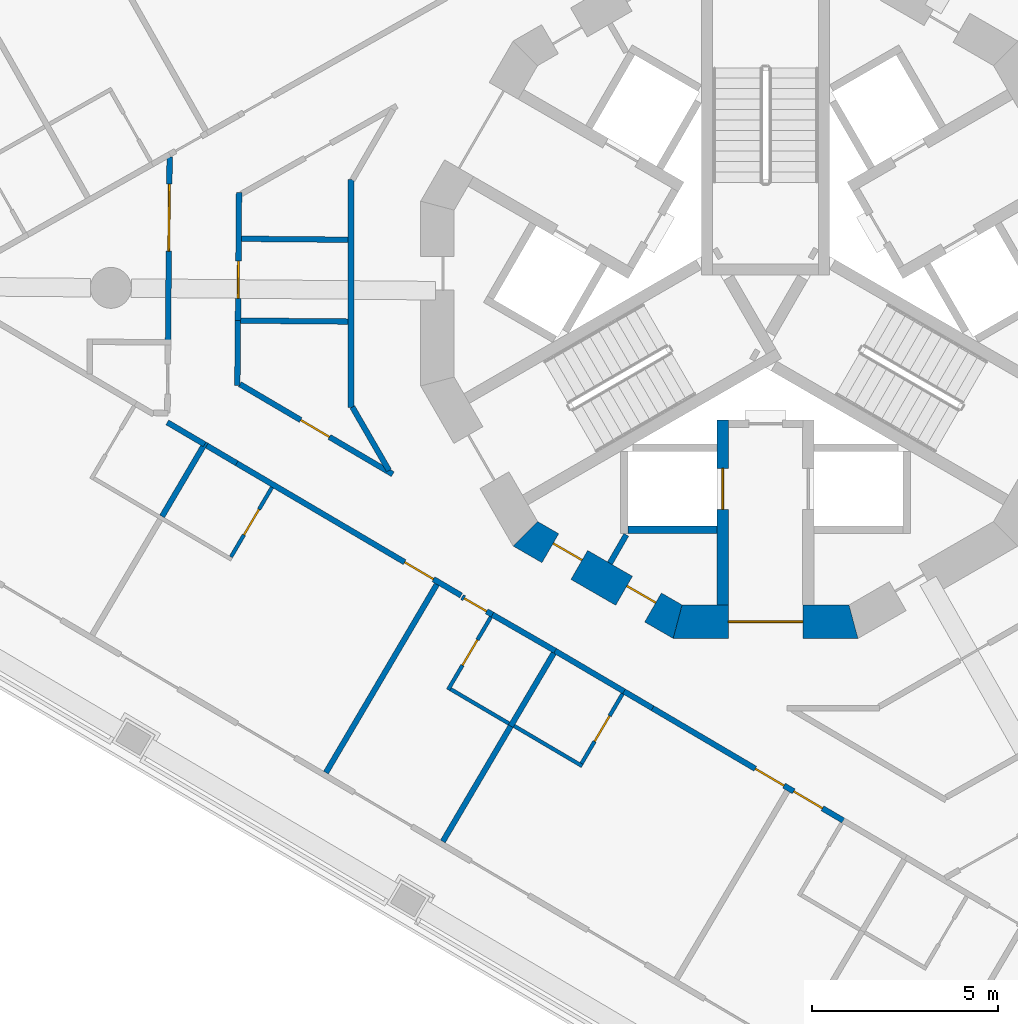
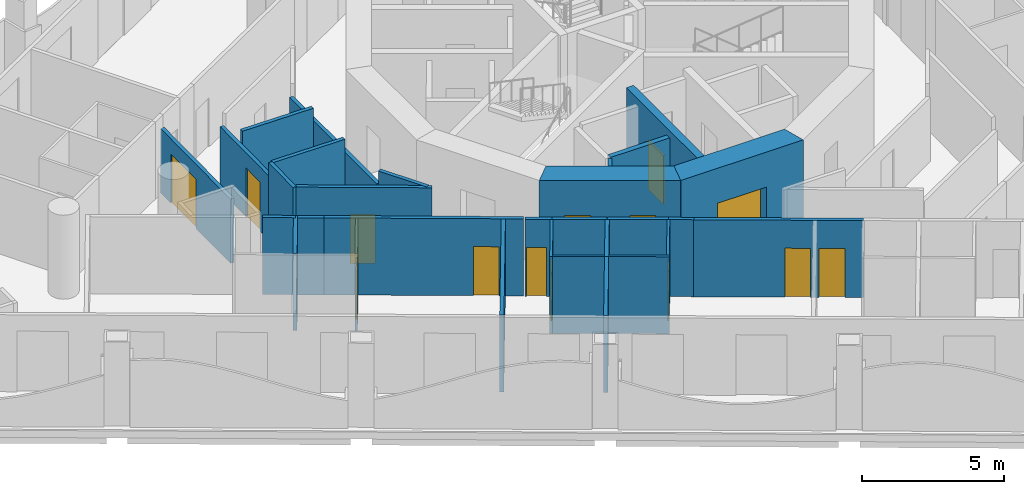
# One storey, part 3 of 17: 30 walls, 14 doors, 14 openings.
"""IFC4 building model written with IfcOpenShell, lengths in metres."""

import ifcopenshell
import ifcopenshell.guid

model = None  # the IFC model being written
_history = None  # IfcOwnerHistory: only IFC2X3 demands one
_inside = {}  # id of a spatial element -> (the spatial element, [elements in it])
_under = {}  # id of a project, library or spatial element -> (it, [spatial elements below it])
_declared = {}  # id of a project -> (the project, [libraries it declares])
_typed = {}  # id of a type object -> (the type object, [elements of that type])
_made_of = {}  # id of a material, layer set ... -> (it, [elements and type objects made of it])


def new_model(schema):
    """Start an empty IFC model of exactly this schema.

    Asked for "IFC4X3", IfcOpenShell would pick the latest addendum, in which some entities
    have other attributes; the version numbers below select the first issue.
    IFC2X3 requires an IfcOwnerHistory on every rooted entity: one is made here for all.
    """
    global model, _history
    if schema == "IFC4X3":
        model = ifcopenshell.file(schema_version=(4, 3, 0, 0))
    else:
        model = ifcopenshell.file(schema=schema)
    _inside.clear()
    _under.clear()
    _declared.clear()
    _typed.clear()
    _made_of.clear()
    _history = None
    if model.schema == "IFC2X3":
        org = make("IfcOrganization", Name="unknown")
        user = make(
            "IfcPersonAndOrganization",
            ThePerson=make("IfcPerson", FamilyName="unknown"),
            TheOrganization=org,
        )
        app = make(
            "IfcApplication",
            ApplicationDeveloper=org,
            Version="unknown",
            ApplicationFullName="unknown",
            ApplicationIdentifier="unknown",
        )
        _history = make(
            "IfcOwnerHistory",
            OwningUser=user,
            OwningApplication=app,
            ChangeAction="ADDED",
            CreationDate=0,
        )
    return model


def make(cls, **values):
    """One entity of the class cls with the attributes given. An attribute that is None is left unset."""
    return model.create_entity(
        cls, **{name: value for name, value in values.items() if value is not None}
    )


def rooted(cls, **values):
    """An entity with a GlobalId (a new one), such as an element, a storey or a relation."""
    return make(cls, GlobalId=ifcopenshell.guid.new(), OwnerHistory=_history, **values)


def si_unit(unit_type, name, prefix=None):
    """IfcSIUnit, for example si_unit("LENGTHUNIT", "METRE", prefix="MILLI")."""
    return make("IfcSIUnit", UnitType=unit_type, Prefix=prefix, Name=name)


def assignment(units):
    """IfcUnitAssignment: the units of a project."""
    return None if units is None else make("IfcUnitAssignment", Units=units)


def point(xyz):
    """IfcCartesianPoint."""
    return None if xyz is None else make("IfcCartesianPoint", Coordinates=xyz)


def direction(xyz):
    """IfcDirection."""
    return None if xyz is None else make("IfcDirection", DirectionRatios=xyz)


def frame(location, z_axis=None, x_axis=None):
    """IfcAxis2Placement3D, a coordinate frame: its origin and axes. An axis left out is left unset."""
    return make(
        "IfcAxis2Placement3D",
        Location=point(location),
        Axis=direction(z_axis),
        RefDirection=direction(x_axis),
    )


def frame_2d(location, x_axis=None):
    """IfcAxis2Placement2D, a coordinate frame in the plane: its origin and x axis."""
    return make(
        "IfcAxis2Placement2D", Location=point(location), RefDirection=direction(x_axis)
    )


def origin():
    """The frame at (0, 0, 0) with its axes left unset."""
    return frame((0.0, 0.0, 0.0))


def place(relative_to, where):
    """IfcLocalPlacement: puts the frame where relative to a parent placement (None: the world)."""
    return make(
        "IfcLocalPlacement", PlacementRelTo=relative_to, RelativePlacement=where
    )


def context(
    kind, dimensions, precision=None, world=None, true_north=None, identifier=None
):
    """IfcGeometricRepresentationContext, for example the 3D "Model" context."""
    return make(
        "IfcGeometricRepresentationContext",
        ContextIdentifier=identifier,
        ContextType=kind,
        CoordinateSpaceDimension=dimensions,
        Precision=precision,
        WorldCoordinateSystem=world,
        TrueNorth=true_north,
    )


def subcontext(parent, identifier, kind, view, scale=None):
    """IfcGeometricRepresentationSubContext, for example "Body" below "Model"."""
    return make(
        "IfcGeometricRepresentationSubContext",
        ContextIdentifier=identifier,
        ContextType=kind,
        ParentContext=parent,
        TargetScale=scale,
        TargetView=view,
    )


def project(units=None, contexts=None):
    """IfcProject with its units and contexts."""
    return rooted(
        "IfcProject",
        Name="project",
        RepresentationContexts=contexts,
        UnitsInContext=assignment(units),
    )


def spatial(cls, under=None, at=None, **own):
    """A site, building, storey or space (cls), placed at a placement, below another one or the project."""
    s = rooted(cls, ObjectPlacement=at, **own)
    if under is not None:
        _under.setdefault(under.id(), (under, []))[1].append(s)
    return s


def polyline(points):
    """IfcPolyline through the points."""
    return make("IfcPolyline", Points=[point(p) for p in points])


def profile(cls, at=None, kind="AREA", **sizes):
    """A parametric profile (cls). Its sizes go by their IFC names, for example OverallWidth=200.0."""
    return make(cls, ProfileType=kind, Position=at, **sizes)


def rectangle(**sizes):
    """IfcRectangleProfileDef."""
    return profile("IfcRectangleProfileDef", **sizes)


def outline(outer, holes=None, kind="AREA"):
    """IfcArbitraryClosedProfileDef: a profile drawn as a closed curve; with holes, ...WithVoids."""
    if holes is None:
        return make("IfcArbitraryClosedProfileDef", ProfileType=kind, OuterCurve=outer)
    return make(
        "IfcArbitraryProfileDefWithVoids",
        ProfileType=kind,
        OuterCurve=outer,
        InnerCurves=holes,
    )


def extrude(swept, where, along, depth):
    """IfcExtrudedAreaSolid: the profile swept, set in the frame where, extruded along a direction by depth."""
    return make(
        "IfcExtrudedAreaSolid",
        SweptArea=swept,
        Position=where,
        ExtrudedDirection=direction(along),
        Depth=depth,
    )


def shape(context_of_items, identifier, shape_type, items):
    """IfcShapeRepresentation: the items that make up one representation, for example the "Body"."""
    return make(
        "IfcShapeRepresentation",
        ContextOfItems=context_of_items,
        RepresentationIdentifier=identifier,
        RepresentationType=shape_type,
        Items=items,
    )


def material(Name=None, Category=None):
    """IfcMaterial."""
    return make("IfcMaterial", Name=Name, Category=Category)


def layer(
    of_material, thickness, ventilated=None, Name=None, Category=None, Priority=None
):
    """IfcMaterialLayer: one layer of a wall or slab, of a material (None: an air gap)."""
    return make(
        "IfcMaterialLayer",
        Material=of_material,
        LayerThickness=thickness,
        IsVentilated=ventilated,
        Name=Name,
        Category=Category,
        Priority=Priority,
    )


def layer_set(layers, Name=None):
    """IfcMaterialLayerSet."""
    return make("IfcMaterialLayerSet", MaterialLayers=layers, LayerSetName=Name)


def made_of(thing, what):
    """Note that an element or type object is made of a material, layer set ...; save() writes the relation."""
    if what is not None:
        _made_of.setdefault(what.id(), (what, []))[1].append(thing)
    return thing


def type_object(cls, material=None, **own):
    """A type object (cls), such as IfcWallType, which elements share."""
    return made_of(rooted(cls, **own), material)


def element(
    cls,
    number,
    at=None,
    inside=None,
    cuts=None,
    type_object=None,
    material=None,
    context=None,
    identifier="Body",
    shape_type=None,
    held_by="IfcProductDefinitionShape",
    body=None,
    shapes=None,
    **own,
):
    """One element of the class cls, such as IfcWall. Its Tag is "e" and its number.

    at: its placement. inside: the storey or other place that contains it. cuts: it is an
    opening in that element (IfcRelVoidsElement). A single representation is given by context,
    identifier, shape_type and body (its items); several are given by shapes. held_by: the class
    of the entity that holds the representations. save() writes the other relations.
    """
    e = rooted(cls, Tag="e%d" % number, ObjectPlacement=at, **own)
    if body is not None:
        shapes = [shape(context, identifier, shape_type, body)]
    if shapes is not None:
        e.Representation = make(held_by, Representations=shapes)
    if inside is not None:
        _inside.setdefault(inside.id(), (inside, []))[1].append(e)
    if cuts is not None:
        rooted(
            "IfcRelVoidsElement", RelatingBuildingElement=cuts, RelatedOpeningElement=e
        )
    if type_object is not None:
        _typed.setdefault(type_object.id(), (type_object, []))[1].append(e)
    return made_of(e, material)


def fill(opening, filler):
    """IfcRelFillsElement: the door or window that sits in an opening."""
    return rooted(
        "IfcRelFillsElement",
        RelatingOpeningElement=opening,
        RelatedBuildingElement=filler,
    )


def aggregate(whole, parts):
    """IfcRelAggregates: a whole, such as a stair, and the parts it consists of."""
    return rooted("IfcRelAggregates", RelatingObject=whole, RelatedObjects=parts)


def save(model, path):
    """Write the relations noted so far, then the file.

    IfcRelAggregates (storeys below a building ...), IfcRelContainedInSpatialStructure (elements
    in a storey), IfcRelDefinesByType, IfcRelAssociatesMaterial and IfcRelDeclares: one each for
    every whole, place, type object, material and project.
    """
    for whole, parts in _under.values():
        aggregate(whole, parts)
    for where, things in _inside.values():
        rooted(
            "IfcRelContainedInSpatialStructure",
            RelatedElements=things,
            RelatingStructure=where,
        )
    for kind, things in _typed.values():
        rooted("IfcRelDefinesByType", RelatedObjects=things, RelatingType=kind)
    for what, things in _made_of.values():
        rooted("IfcRelAssociatesMaterial", RelatedObjects=things, RelatingMaterial=what)
    for by, libraries in _declared.values():
        rooted("IfcRelDeclares", RelatingContext=by, RelatedDefinitions=libraries)
    model.write(path)


model = new_model("IFC4")

# Units and contexts
model_context = context("Model", 3, precision=1e-05, world=origin(), true_north=direction((0.0, 1.0)))
body_context = subcontext(model_context, "Body", "Model", "MODEL_VIEW")
ifc_project = project(units=[si_unit("LENGTHUNIT", "METRE"), si_unit("AREAUNIT", "SQUARE_METRE"), si_unit("VOLUMEUNIT", "CUBIC_METRE"), si_unit("PLANEANGLEUNIT", "RADIAN"), si_unit("MASSUNIT", "GRAM", prefix="KILO")], contexts=[model_context])

# Site, building, storey
site_placement = place(None, origin())
site = spatial("IfcSite", under=ifc_project, at=site_placement, CompositionType="ELEMENT")
building_placement = place(site_placement, origin())
building = spatial("IfcBuilding", under=site, at=building_placement, Name="Trine Commons Tower", CompositionType="ELEMENT")
storey_placement = place(building_placement, frame((0.0, 0.0, 168.300048828125)))
storey = spatial("IfcBuildingStorey", under=building, at=storey_placement, Name="L43", CompositionType="ELEMENT", Elevation=168.300048828125)

# Wall
ifc_material_1 = material(Name="Plasterboard partition on steel studs", Category="steel")
ifc_layer_1 = layer(ifc_material_1, 0.14990234375)
ifc_layer_set_1 = layer_set([ifc_layer_1], Name="Plasterboard partition on steel studs")
wall_type_1 = type_object("IfcWallType", Name="Core room partition 150 mm, EI 60", PredefinedType="PARTITIONING", material=ifc_layer_set_1)
wall_1_placement = place(storey_placement, frame((75.81396484375, 55.2490234375, 0.0), z_axis=(0.0, 0.0, 1.0), x_axis=(0.499890179513, 0.866088799389, 0.0)))
element("IfcWall", 1, at=wall_1_placement, inside=storey, type_object=wall_type_1, Name="Core room partition L43", PredefinedType="PARTITIONING", context=body_context, shape_type="SweptSolid", body=[
    extrude(rectangle(XDim=0.882080078125, YDim=0.14990234375, at=frame_2d((0.44091796875, 0.0))), origin(), (0.0, 0.0, 1.0), 3.300048828125),
])

# Wall, opening, door
ifc_material_2 = material(Name="Concrete C60/75", Category="concrete")
ifc_layer_2 = layer(ifc_material_2, 0.300048828125)
ifc_layer_set_2 = layer_set([ifc_layer_2], Name="Concrete C60/75")
wall_type_2 = type_object("IfcWallType", Name="RC shear wall 300 mm, C60/75", PredefinedType="SHEAR", material=ifc_layer_set_2)
wall_2_placement = place(storey_placement, frame((78.85009765625, 59.10009765625, 0.0), z_axis=(0.0, 0.0, 1.0), x_axis=(0.0, -1.0, 0.0)))
wall_2 = element("IfcWall", 2, at=wall_2_placement, inside=storey, type_object=wall_type_2, Name="Core cross wall SWB-03 L43", PredefinedType="SHEAR", context=body_context, shape_type="SweptSolid", body=[
    extrude(rectangle(XDim=4.97314453125, YDim=0.300048828125, at=frame_2d((2.486572265625, 0.0))), origin(), (0.0, 0.0, 1.0), 3.599853515625),
])
opening_1_placement = place(wall_2_placement, frame((1.300048828125, 0.0, 0.0)))
opening_1 = element("IfcOpeningElement", 3, at=opening_1_placement, cuts=wall_2, Name="Opening LD10", PredefinedType="OPENING", context=body_context, shape_type="SweptSolid", body=[
    extrude(rectangle(XDim=1.10009765625, YDim=2.10009765625, at=frame_2d((0.550048828125, 1.050048828125))), frame((0.0, 0.159912109375, 0.0), z_axis=(0.0, -1.0, 0.0), x_axis=(1.0, 0.0, 0.0)), (0.0, 0.0, 1.0), 0.320068359375),
])
ifc_material_3 = material(Name="Stainless steel sliding door leaves", Category="steel")
door_type_1 = type_object("IfcDoorType", Name="Lift landing door, centre-opening sliding 1100 x 2100, FD90", OperationType="DOUBLE_DOOR_SLIDING", PredefinedType="DOOR", material=ifc_material_3)
door_1_placement = place(opening_1_placement, origin())
door_1 = element("IfcDoor", 4, at=door_1_placement, inside=storey, type_object=door_type_1, Name="Lift landing door FF2 L43", OperationType="DOUBLE_DOOR_SLIDING", OverallHeight=2.10009765625, OverallWidth=1.10009765625, PredefinedType="DOOR", context=body_context, shape_type="SweptSolid", body=[
    extrude(rectangle(XDim=1.10009765625, YDim=2.10009765625, at=frame_2d((0.550048828125, 1.050048828125))), frame((0.0, 0.02490234375, 0.0), z_axis=(0.0, -1.0, 0.0), x_axis=(1.0, 0.0, 0.0)), (0.0, 0.0, 1.0), 0.050048828125),
])
fill(opening_1, door_1)

# Wall, openings, doors
ifc_layer_3 = layer(ifc_material_2, 0.89990234375)
ifc_layer_set_3 = layer_set([ifc_layer_3], Name="Concrete C60/75")
wall_type_3 = type_object("IfcWallType", Name="RC shear wall 900 mm, C60/75", PredefinedType="SHEAR", material=ifc_layer_set_3)
wall_3_placement = place(storey_placement, frame((73.436767578125, 56.1015625, 0.0), z_axis=(0.0, 0.0, 1.0), x_axis=(0.866003133579, -0.500038571144, 0.0)))
wall_3 = element("IfcWall", 5, at=wall_3_placement, inside=storey, type_object=wall_type_3, Name="Core wall CWE-09 L43", PredefinedType="SHEAR", context=body_context, shape_type="SweptSolid", body=[
    extrude(outline(polyline([(0.0, -0.449951171875), (4.96923828125, -0.449951171875), (4.72802734375, 0.449951171875), (0.2412109375, 0.449951171875), (0.0, -0.449951171875)])), origin(), (0.0, 0.0, 1.0), 3.599853515625),
])
opening_2_placement = place(wall_3_placement, frame((0.89599609375, 0.0, 0.0)))
opening_2 = element("IfcOpeningElement", 6, at=opening_2_placement, cuts=wall_3, Name="Opening K10.16", PredefinedType="OPENING", context=body_context, shape_type="SweptSolid", body=[
    extrude(rectangle(XDim=0.89990234375, YDim=2.10009765625, at=frame_2d((0.449951171875, 1.050048828125))), frame((0.0, 0.4599609375, 0.0), z_axis=(0.0, -1.0, 0.0), x_axis=(1.0, 0.0, 0.0)), (0.0, 0.0, 1.0), 0.919921875),
])
opening_3_placement = place(wall_3_placement, frame((3.18505859375, 0.0, 0.0)))
opening_3 = element("IfcOpeningElement", 7, at=opening_3_placement, cuts=wall_3, Name="Opening K10.17", PredefinedType="OPENING", context=body_context, shape_type="SweptSolid", body=[
    extrude(rectangle(XDim=0.89990234375, YDim=2.10009765625, at=frame_2d((0.449951171875, 1.050048828125))), frame((0.0, 0.4599609375, 0.0), z_axis=(0.0, -1.0, 0.0), x_axis=(1.0, 0.0, 0.0)), (0.0, 0.0, 1.0), 0.919921875),
])
ifc_material_4 = material(Name="Steel door leaf, fire-rated", Category="steel")
door_type_2 = type_object("IfcDoorType", Name="Core room door, single leaf 900 x 2100, FD30S", OperationType="SINGLE_SWING_LEFT", PredefinedType="DOOR", material=ifc_material_4)
door_2_placement = place(opening_2_placement, origin())
door_2 = element("IfcDoor", 8, at=door_2_placement, inside=storey, type_object=door_type_2, Name="Door to Linen store L43", OperationType="SINGLE_SWING_LEFT", OverallHeight=2.10009765625, OverallWidth=0.89990234375, PredefinedType="DOOR", context=body_context, shape_type="SweptSolid", body=[
    extrude(rectangle(XDim=0.89990234375, YDim=2.10009765625, at=frame_2d((0.449951171875, 1.050048828125))), frame((0.0, 0.1748046875, 0.0), z_axis=(0.0, -1.0, 0.0), x_axis=(1.0, 0.0, 0.0)), (0.0, 0.0, 1.0), 0.050048828125),
])
fill(opening_2, door_2)
door_3_placement = place(opening_3_placement, origin())
door_3 = element("IfcDoor", 9, at=door_3_placement, inside=storey, type_object=door_type_2, Name="Door to Pantry L43", OperationType="SINGLE_SWING_RIGHT", OverallHeight=2.10009765625, OverallWidth=0.89990234375, PredefinedType="DOOR", context=body_context, shape_type="SweptSolid", body=[
    extrude(rectangle(XDim=0.89990234375, YDim=2.10009765625, at=frame_2d((0.449951171875, 1.050048828125))), frame((0.0, 0.1748046875, 0.0), z_axis=(0.0, -1.0, 0.0), x_axis=(1.0, 0.0, 0.0)), (0.0, 0.0, 1.0), 0.050048828125),
])
fill(opening_3, door_3)

# Wall, opening, door
wall_4_placement = place(storey_placement, frame((77.515380859375, 53.677001953125, 0.0), z_axis=(0.0, 0.0, 1.0), x_axis=(1.0, 0.0, 0.0)))
wall_4 = element("IfcWall", 10, at=wall_4_placement, inside=storey, type_object=wall_type_3, Name="Core wall CWE-10 L43", PredefinedType="SHEAR", context=body_context, shape_type="SweptSolid", body=[
    extrude(outline(polyline([(0.0, -0.449951171875), (4.969482421875, -0.449951171875), (4.728271484375, 0.449951171875), (0.2412109375, 0.449951171875), (0.0, -0.449951171875)])), origin(), (0.0, 0.0, 1.0), 3.599853515625),
])
opening_4_placement = place(wall_4_placement, frame((1.484619140625, 0.0, 0.0)))
opening_4 = element("IfcOpeningElement", 11, at=opening_4_placement, cuts=wall_4, Name="Opening K10.08", PredefinedType="OPENING", context=body_context, shape_type="SweptSolid", body=[
    extrude(rectangle(XDim=2.0, YDim=2.10009765625, at=frame_2d((1.0, 1.050048828125))), frame((0.0, 0.4599609375, 0.0), z_axis=(0.0, -1.0, 0.0), x_axis=(1.0, 0.0, 0.0)), (0.0, 0.0, 1.0), 0.919921875),
])
ifc_material_5 = material(Name="Steel door leaves, fire-rated", Category="steel")
door_type_3 = type_object("IfcDoorType", Name="Lobby door, double leaf 2000 x 2100, FD60", OperationType="DOUBLE_DOOR_SINGLE_SWING", PredefinedType="DOOR", material=ifc_material_5)
door_4_placement = place(opening_4_placement, origin())
door_4 = element("IfcDoor", 12, at=door_4_placement, inside=storey, type_object=door_type_3, Name="Lobby door, Service and firefighting lobby L43", OperationType="DOUBLE_DOOR_SINGLE_SWING", OverallHeight=2.10009765625, OverallWidth=2.0, PredefinedType="DOOR", context=body_context, shape_type="SweptSolid", body=[
    extrude(rectangle(XDim=2.0, YDim=2.10009765625, at=frame_2d((1.0, 1.050048828125))), frame((0.0, 0.02490234375, 0.0), z_axis=(0.0, -1.0, 0.0), x_axis=(1.0, 0.0, 0.0)), (0.0, 0.0, 1.0), 0.050048828125),
])
fill(opening_4, door_4)

# Walls
ifc_material_6 = material(Name="Fire-rated gypsum shaft wall system")
ifc_layer_4 = layer(ifc_material_6, 0.199951171875)
ifc_layer_set_4 = layer_set([ifc_layer_4], Name="Fire-rated gypsum shaft wall system")
wall_type_4 = type_object("IfcWallType", Name="Shaft wall 200 mm, EI 120", PredefinedType="PARTITIONING", material=ifc_layer_set_4)
wall_5_placement = place(storey_placement, frame((78.699951171875, 56.14990234375, 0.0), z_axis=(0.0, 0.0, 1.0), x_axis=(-1.0, 0.0, 0.0)))
element("IfcWall", 13, at=wall_5_placement, inside=storey, type_object=wall_type_4, Name="Shaft wall L43", PredefinedType="PARTITIONING", context=body_context, shape_type="SweptSolid", body=[
    extrude(rectangle(XDim=2.39990234375, YDim=0.199951171875, at=frame_2d((1.199951171875, 0.0))), origin(), (0.0, 0.0, 1.0), 3.300048828125),
])
ifc_material_7 = material(Name="Gypsum plasterboard on steel stud", Category="steel")
ifc_layer_5 = layer(ifc_material_7, 0.14990234375)
ifc_layer_set_5 = layer_set([ifc_layer_5], Name="Gypsum plasterboard on steel stud")
wall_type_5 = type_object("IfcWallType", Name="Unit and corridor wall 150 mm, EI 60", PredefinedType="PARTITIONING", material=ifc_layer_set_5)
wall_6_placement = place(storey_placement, frame((63.7724609375, 56.509033203125, 0.0), z_axis=(0.0, 0.0, 1.0), x_axis=(0.507359649966, 0.861734405479, 0.0)))
element("IfcWall", 14, at=wall_6_placement, inside=storey, type_object=wall_type_5, Name="Partition 020", PredefinedType="PARTITIONING", context=body_context, shape_type="SweptSolid", body=[
    extrude(rectangle(XDim=2.3251953125, YDim=0.14990234375, at=frame_2d((1.16259765625, 0.0))), origin(), (0.0, 0.0, 1.0), 3.300048828125),
])
wall_7_placement = place(storey_placement, frame((63.9140625, 59.037109375, 0.0), z_axis=(0.0, 0.0, 1.0), x_axis=(0.861518804546, -0.507725663536, 0.0)))
element("IfcWall", 15, at=wall_7_placement, inside=storey, type_object=wall_type_5, Name="Partition 021", PredefinedType="PARTITIONING", context=body_context, shape_type="SweptSolid", body=[
    extrude(rectangle(XDim=1.1640625, YDim=0.14990234375, at=frame_2d((0.58203125, 0.0))), origin(), (0.0, 0.0, 1.0), 3.300048828125),
])

# Wall, opening, door
wall_8_placement = place(storey_placement, frame((63.931884765625, 61.18310546875, 0.0), z_axis=(0.0, 0.0, 1.0), x_axis=(0.008717466764, 0.999962002165, 0.0)))
wall_8 = element("IfcWall", 16, at=wall_8_placement, inside=storey, type_object=wall_type_5, Name="Partition 023", PredefinedType="PARTITIONING", context=body_context, shape_type="SweptSolid", body=[
    extrude(rectangle(XDim=4.985107421875, YDim=0.14990234375, at=frame_2d((2.49267578125, 0.0))), origin(), (0.0, 0.0, 1.0), 2.75),
])
opening_5_placement = place(wall_8_placement, frame((2.458984375, 0.0, 0.0)))
opening_5 = element("IfcOpeningElement", 17, at=opening_5_placement, cuts=wall_8, Name="Opening D-5A03", PredefinedType="OPENING", context=body_context, shape_type="SweptSolid", body=[
    extrude(rectangle(XDim=1.800048828125, YDim=2.10009765625, at=frame_2d((0.89990234375, 1.050048828125))), frame((0.0, 0.0849609375, 0.0), z_axis=(0.0, -1.0, 0.0), x_axis=(1.0, 0.0, 0.0)), (0.0, 0.0, 1.0), 0.169921875),
])
ifc_material_8 = material(Name="Timber fire door set", Category="wood")
door_type_4 = type_object("IfcDoorType", Name="Cluster entrance door 1800 x 2100, double leaf, FD30S", OperationType="DOUBLE_DOOR_DOUBLE_SWING", PredefinedType="DOOR", material=ifc_material_8)
door_5_placement = place(opening_5_placement, origin())
door_5 = element("IfcDoor", 18, at=door_5_placement, inside=storey, type_object=door_type_4, Name="Door D-5A03", OperationType="DOUBLE_DOOR_DOUBLE_SWING", OverallHeight=2.10009765625, OverallWidth=1.800048828125, PredefinedType="DOOR", context=body_context, shape_type="SweptSolid", body=[
    extrude(rectangle(XDim=1.800048828125, YDim=2.10009765625, at=frame_2d((0.89990234375, 1.050048828125))), frame((0.0, 0.02490234375, 0.0), z_axis=(0.0, -1.0, 0.0), x_axis=(1.0, 0.0, 0.0)), (0.0, 0.0, 1.0), 0.050048828125),
])
fill(opening_5, door_5)

# Wall
wall_9_placement = place(storey_placement, frame((64.9755859375, 58.411865234375, 0.0), z_axis=(0.0, 0.0, 1.0), x_axis=(0.861348284073, -0.508014894982, 0.0)))
element("IfcWall", 19, at=wall_9_placement, inside=storey, type_object=wall_type_5, Name="Partition 025", PredefinedType="PARTITIONING", context=body_context, shape_type="SweptSolid", body=[
    extrude(rectangle(XDim=0.932861328125, YDim=0.14990234375, at=frame_2d((0.46630859375, 0.0))), origin(), (0.0, 0.0, 1.0), 3.300048828125),
])

# Wall, opening, door
wall_10_placement = place(storey_placement, frame((65.779052734375, 57.93798828125, 0.0), z_axis=(0.0, 0.0, 1.0), x_axis=(0.861623120435, -0.507548616718, 0.0)))
wall_10 = element("IfcWall", 20, at=wall_10_placement, inside=storey, type_object=wall_type_5, Name="Partition 028", PredefinedType="PARTITIONING", context=body_context, shape_type="SweptSolid", body=[
    extrude(rectangle(XDim=7.004150390625, YDim=0.14990234375, at=frame_2d((3.501953125, 0.0))), origin(), (0.0, 0.0, 1.0), 3.300048828125),
])
opening_6_placement = place(wall_10_placement, frame((5.240478515625, 0.0, 0.0)))
opening_6 = element("IfcOpeningElement", 21, at=opening_6_placement, cuts=wall_10, Name="Opening D-5A24", PredefinedType="OPENING", context=body_context, shape_type="SweptSolid", body=[
    extrude(rectangle(XDim=0.89990234375, YDim=2.10009765625, at=frame_2d((0.449951171875, 1.050048828125))), frame((0.0, 0.0849609375, 0.0), z_axis=(0.0, -1.0, 0.0), x_axis=(1.0, 0.0, 0.0)), (0.0, 0.0, 1.0), 0.169921875),
])
door_type_5 = type_object("IfcDoorType", Name="Bedroom door 900 x 2100, FD30S", OperationType="NOTDEFINED", PredefinedType="DOOR", material=ifc_material_8)
door_6_placement = place(opening_6_placement, frame((0.89990234375, 0.0, 0.0), z_axis=(0.0, 0.0, 1.0), x_axis=(-1.0, 0.0, 0.0)))
door_6 = element("IfcDoor", 22, at=door_6_placement, inside=storey, type_object=door_type_5, Name="Door D-5A24", OperationType="SINGLE_SWING_LEFT", OverallHeight=2.10009765625, OverallWidth=0.89990234375, PredefinedType="DOOR", context=body_context, shape_type="SweptSolid", body=[
    extrude(rectangle(XDim=0.89990234375, YDim=2.10009765625, at=frame_2d((0.449951171875, 1.050048828125))), frame((0.0, 0.02490234375, 0.0), z_axis=(0.0, -1.0, 0.0), x_axis=(1.0, 0.0, 0.0)), (0.0, 0.0, 1.0), 0.050048828125),
])
fill(opening_6, door_6)

# Wall
wall_11_placement = place(storey_placement, frame((65.79736328125, 60.028076171875, 0.0), z_axis=(0.0, 0.0, 1.0), x_axis=(0.00892821556, 0.999960142689, 0.0)))
element("IfcWall", 23, at=wall_11_placement, inside=storey, type_object=wall_type_5, Name="Partition 029", PredefinedType="PARTITIONING", context=body_context, shape_type="SweptSolid", body=[
    extrude(rectangle(XDim=1.75, YDim=0.14990234375, at=frame_2d((0.875, 0.0))), origin(), (0.0, 0.0, 1.0), 3.300048828125),
])

# Wall, opening, door
wall_12_placement = place(storey_placement, frame((65.862548828125, 60.06494140625, 0.0), z_axis=(0.0, 0.0, 1.0), x_axis=(0.861635540959, -0.507527530835, 0.0)))
wall_12 = element("IfcWall", 24, at=wall_12_placement, inside=storey, type_object=wall_type_5, Name="Partition 030", PredefinedType="PARTITIONING", context=body_context, shape_type="SweptSolid", body=[
    extrude(rectangle(XDim=4.7724609375, YDim=0.14990234375, at=frame_2d((2.38623046875, 0.0))), origin(), (0.0, 0.0, 1.0), 3.300048828125),
])
opening_7_placement = place(wall_12_placement, frame((1.898681640625, 0.0, 0.0)))
opening_7 = element("IfcOpeningElement", 25, at=opening_7_placement, cuts=wall_12, Name="Opening D-5A28", PredefinedType="OPENING", context=body_context, shape_type="SweptSolid", body=[
    extrude(rectangle(XDim=0.89990234375, YDim=2.10009765625, at=frame_2d((0.449951171875, 1.050048828125))), frame((0.0, 0.0849609375, 0.0), z_axis=(0.0, -1.0, 0.0), x_axis=(1.0, 0.0, 0.0)), (0.0, 0.0, 1.0), 0.169921875),
])
door_type_6 = type_object("IfcDoorType", Name="Service door 900 x 2100, FD30S", OperationType="NOTDEFINED", PredefinedType="DOOR", material=ifc_material_8)
door_7_placement = place(opening_7_placement, origin())
door_7 = element("IfcDoor", 26, at=door_7_placement, inside=storey, type_object=door_type_6, Name="Door D-5A28", OperationType="SINGLE_SWING_LEFT", OverallHeight=2.10009765625, OverallWidth=0.89990234375, PredefinedType="DOOR", context=body_context, shape_type="SweptSolid", body=[
    extrude(rectangle(XDim=0.89990234375, YDim=2.10009765625, at=frame_2d((0.449951171875, 1.050048828125))), frame((0.0, 0.02490234375, 0.0), z_axis=(0.0, -1.0, 0.0), x_axis=(1.0, 0.0, 0.0)), (0.0, 0.0, 1.0), 0.050048828125),
])
fill(opening_7, door_7)

wall_13_placement = place(storey_placement, frame((65.8125, 61.695068359375, 0.0), z_axis=(0.0, 0.0, 1.0), x_axis=(0.008521236962, 0.999963693601, 0.0)))
wall_13 = element("IfcWall", 27, at=wall_13_placement, inside=storey, type_object=wall_type_5, Name="Partition 031", PredefinedType="PARTITIONING", context=body_context, shape_type="SweptSolid", body=[
    extrude(rectangle(XDim=3.524169921875, YDim=0.14990234375, at=frame_2d((1.76220703125, 0.0))), origin(), (0.0, 0.0, 1.0), 2.75),
])
opening_8_placement = place(wall_13_placement, frame((0.678955078125, 0.0, 0.0)))
opening_8 = element("IfcOpeningElement", 28, at=opening_8_placement, cuts=wall_13, Name="Opening D-5A30", PredefinedType="OPENING", context=body_context, shape_type="SweptSolid", body=[
    extrude(rectangle(XDim=1.0, YDim=2.10009765625, at=frame_2d((0.5, 1.050048828125))), frame((0.0, 0.0849609375, 0.0), z_axis=(0.0, -1.0, 0.0), x_axis=(1.0, 0.0, 0.0)), (0.0, 0.0, 1.0), 0.169921875),
])
ifc_material_9 = material(Name="Painted timber", Category="wood")
door_type_7 = type_object("IfcDoorType", Name="Toilet door 1000 x 2100, NOT RATED", OperationType="NOTDEFINED", PredefinedType="DOOR", material=ifc_material_9)
door_8_placement = place(opening_8_placement, frame((1.0, 0.0, 0.0), z_axis=(0.0, 0.0, 1.0), x_axis=(-1.0, 0.0, 0.0)))
door_8 = element("IfcDoor", 29, at=door_8_placement, inside=storey, type_object=door_type_7, Name="Door D-5A30", OperationType="SINGLE_SWING_RIGHT", OverallHeight=2.10009765625, OverallWidth=1.0, PredefinedType="DOOR", context=body_context, shape_type="SweptSolid", body=[
    extrude(rectangle(XDim=1.0, YDim=2.10009765625, at=frame_2d((0.5, 1.050048828125))), frame((0.0, 0.02490234375, 0.0), z_axis=(0.0, -1.0, 0.0), x_axis=(1.0, 0.0, 0.0)), (0.0, 0.0, 1.0), 0.050048828125),
])
fill(opening_8, door_8)

# Walls
wall_14_placement = place(storey_placement, frame((65.887939453125, 61.773193359375, 0.0), z_axis=(0.0, 0.0, 1.0), x_axis=(0.999961385679, -0.008787897931, 0.0)))
element("IfcWall", 30, at=wall_14_placement, inside=storey, type_object=wall_type_5, Name="Partition 032", PredefinedType="PARTITIONING", context=body_context, shape_type="SweptSolid", body=[
    extrude(rectangle(XDim=2.88916015625, YDim=0.14990234375, at=frame_2d((1.444580078125, 0.0))), origin(), (0.0, 0.0, 1.0), 3.300048828125),
])
wall_15_placement = place(storey_placement, frame((65.906982421875, 63.973388671875, 0.0), z_axis=(0.0, 0.0, 1.0), x_axis=(0.999960115563, -0.008931253159, 0.0)))
element("IfcWall", 31, at=wall_15_placement, inside=storey, type_object=wall_type_5, Name="Partition 034", PredefinedType="PARTITIONING", context=body_context, shape_type="SweptSolid", body=[
    extrude(rectangle(XDim=2.8701171875, YDim=0.14990234375, at=frame_2d((1.43505859375, 0.0))), origin(), (0.0, 0.0, 1.0), 3.300048828125),
])
wall_16_placement = place(storey_placement, frame((68.17919921875, 49.619384765625, 0.0), z_axis=(0.0, 0.0, 1.0), x_axis=(0.507603061138, 0.861591047031, 0.0)))
element("IfcWall", 32, at=wall_16_placement, inside=storey, type_object=wall_type_5, Name="Partition 036", PredefinedType="PARTITIONING", context=body_context, shape_type="SweptSolid", body=[
    extrude(rectangle(XDim=5.8740234375, YDim=0.14990234375, at=frame_2d((2.93701171875, 0.0))), origin(), (0.0, 0.0, 1.0), 3.300048828125),
])
wall_17_placement = place(storey_placement, frame((68.85205078125, 59.43798828125, 0.0), z_axis=(0.0, 0.0, 1.0), x_axis=(0.0, 1.0, 0.0)))
element("IfcWall", 33, at=wall_17_placement, inside=storey, type_object=wall_type_5, Name="Partition 037", PredefinedType="PARTITIONING", context=body_context, shape_type="SweptSolid", body=[
    extrude(rectangle(XDim=6.1240234375, YDim=0.14990234375, at=frame_2d((3.06201171875, 0.0))), origin(), (0.0, 0.0, 1.0), 2.75),
])
wall_18_placement = place(storey_placement, frame((68.889404296875, 59.447998046875, 0.0), z_axis=(0.0, 0.0, 1.0), x_axis=(0.500259007655, -0.865875813994, 0.0)))
element("IfcWall", 34, at=wall_18_placement, inside=storey, type_object=wall_type_5, Name="Partition 038", PredefinedType="PARTITIONING", context=body_context, shape_type="SweptSolid", body=[
    extrude(rectangle(XDim=1.96923828125, YDim=0.14990234375, at=frame_2d((0.984619140625, 0.0))), origin(), (0.0, 0.0, 1.0), 3.300048828125),
])
wall_19_placement = place(storey_placement, frame((71.322265625, 47.7685546875, 0.0), z_axis=(0.0, 0.0, 1.0), x_axis=(0.507419363551, 0.861699245383, 0.0)))
element("IfcWall", 35, at=wall_19_placement, inside=storey, type_object=wall_type_5, Name="Partition 040", PredefinedType="PARTITIONING", context=body_context, shape_type="SweptSolid", body=[
    extrude(rectangle(XDim=3.6875, YDim=0.14990234375, at=frame_2d((1.84375, 0.0))), origin(), (0.0, 0.0, 1.0), 3.300048828125),
])

# Wall, opening, door
wall_20_placement = place(storey_placement, frame((71.839111328125, 54.339111328125, 0.0), z_axis=(0.0, 0.0, 1.0), x_axis=(0.865780375256, -0.500424161908, 0.0)))
wall_20 = element("IfcWall", 36, at=wall_20_placement, inside=storey, type_object=wall_type_5, Name="Partition 046", PredefinedType="PARTITIONING", context=body_context, shape_type="SweptSolid", body=[
    extrude(rectangle(XDim=0.943603515625, YDim=0.14990234375, at=frame_2d((0.4716796875, 0.0))), origin(), (0.0, 0.0, 1.0), 3.300048828125),
])
opening_9_placement = place(wall_20_placement, frame((0.06396484375, 0.0, 0.0)))
opening_9 = element("IfcOpeningElement", 37, at=opening_9_placement, cuts=wall_20, Name="Opening D-5A23", PredefinedType="OPENING", context=body_context, shape_type="SweptSolid", body=[
    extrude(rectangle(XDim=0.699951171875, YDim=2.10009765625, at=frame_2d((0.35009765625, 1.050048828125))), frame((0.0, 0.0849609375, 0.0), z_axis=(0.0, -1.0, 0.0), x_axis=(1.0, 0.0, 0.0)), (0.0, 0.0, 1.0), 0.169921875),
])
door_type_8 = type_object("IfcDoorType", Name="Bedroom door 700 x 2100, FD30S", OperationType="NOTDEFINED", PredefinedType="DOOR", material=ifc_material_8)
door_9_placement = place(opening_9_placement, frame((0.699951171875, 0.0, 0.0), z_axis=(0.0, 0.0, 1.0), x_axis=(-1.0, 0.0, 0.0)))
door_9 = element("IfcDoor", 38, at=door_9_placement, inside=storey, type_object=door_type_8, Name="Door D-5A23", OperationType="SINGLE_SWING_RIGHT", OverallHeight=2.10009765625, OverallWidth=0.699951171875, PredefinedType="DOOR", context=body_context, shape_type="SweptSolid", body=[
    extrude(rectangle(XDim=0.699951171875, YDim=2.10009765625, at=frame_2d((0.35009765625, 1.050048828125))), frame((0.0, 0.02490234375, 0.0), z_axis=(0.0, -1.0, 0.0), x_axis=(1.0, 0.0, 0.0)), (0.0, 0.0, 1.0), 0.050048828125),
])
fill(opening_9, door_9)

# Walls
wall_21_placement = place(storey_placement, frame((72.606689453125, 53.89599609375, 0.0), z_axis=(0.0, 0.0, 1.0), x_axis=(0.866136921896, -0.4998067952, 0.0)))
element("IfcWall", 39, at=wall_21_placement, inside=storey, type_object=wall_type_5, Name="Partition 049", PredefinedType="PARTITIONING", context=body_context, shape_type="SweptSolid", body=[
    extrude(rectangle(XDim=2.004638671875, YDim=0.14990234375, at=frame_2d((1.00244140625, 0.0))), origin(), (0.0, 0.0, 1.0), 3.300048828125),
])
wall_22_placement = place(storey_placement, frame((73.148681640625, 50.869873046875, 0.0), z_axis=(0.0, 0.0, 1.0), x_axis=(0.507882922516, 0.861426106533, 0.0)))
element("IfcWall", 40, at=wall_22_placement, inside=storey, type_object=wall_type_5, Name="Partition 050", PredefinedType="PARTITIONING", context=body_context, shape_type="SweptSolid", body=[
    extrude(rectangle(XDim=2.274658203125, YDim=0.14990234375, at=frame_2d((1.13720703125, 0.0))), origin(), (0.0, 0.0, 1.0), 3.300048828125),
])
wall_23_placement = place(storey_placement, frame((74.343017578125, 52.89306640625, 0.0), z_axis=(0.0, 0.0, 1.0), x_axis=(0.861685778752, -0.507442231882, 0.0)))
element("IfcWall", 41, at=wall_23_placement, inside=storey, type_object=wall_type_5, Name="Partition 053", PredefinedType="PARTITIONING", context=body_context, shape_type="SweptSolid", body=[
    extrude(rectangle(XDim=2.148193359375, YDim=0.14990234375, at=frame_2d((1.07421875, 0.0))), origin(), (0.0, 0.0, 1.0), 3.300048828125),
])
wall_24_placement = place(storey_placement, frame((76.194091796875, 51.802978515625, 0.0), z_axis=(0.0, 0.0, 1.0), x_axis=(0.861814436452, -0.507223695349, 0.0)))
element("IfcWall", 42, at=wall_24_placement, inside=storey, type_object=wall_type_5, Name="Partition 057", PredefinedType="PARTITIONING", context=body_context, shape_type="SweptSolid", body=[
    extrude(rectangle(XDim=0.890869140625, YDim=0.14990234375, at=frame_2d((0.4453125, 0.0))), origin(), (0.0, 0.0, 1.0), 3.300048828125),
])

# Wall, openings, doors
wall_25_placement = place(storey_placement, frame((76.9599609375, 51.35205078125, 0.0), z_axis=(0.0, 0.0, 1.0), x_axis=(0.861634811964, -0.507528768457, 0.0)))
wall_25 = element("IfcWall", 43, at=wall_25_placement, inside=storey, type_object=wall_type_5, Name="Partition 059", PredefinedType="PARTITIONING", context=body_context, shape_type="SweptSolid", body=[
    extrude(rectangle(XDim=5.956298828125, YDim=0.14990234375, at=frame_2d((2.97802734375, 0.0))), origin(), (0.0, 0.0, 1.0), 3.300048828125),
])
opening_10_placement = place(wall_25_placement, frame((4.406005859375, 0.0, 0.0)))
opening_10 = element("IfcOpeningElement", 44, at=opening_10_placement, cuts=wall_25, Name="Opening D-5A21", PredefinedType="OPENING", context=body_context, shape_type="SweptSolid", body=[
    extrude(rectangle(XDim=0.89990234375, YDim=2.10009765625, at=frame_2d((0.449951171875, 1.050048828125))), frame((0.0, 0.0849609375, 0.0), z_axis=(0.0, -1.0, 0.0), x_axis=(1.0, 0.0, 0.0)), (0.0, 0.0, 1.0), 0.169921875),
])
opening_11_placement = place(wall_25_placement, frame((3.205810546875, 0.0, 0.0)))
opening_11 = element("IfcOpeningElement", 45, at=opening_11_placement, cuts=wall_25, Name="Opening D-5A22", PredefinedType="OPENING", context=body_context, shape_type="SweptSolid", body=[
    extrude(rectangle(XDim=0.89990234375, YDim=2.10009765625, at=frame_2d((0.449951171875, 1.050048828125))), frame((0.0, 0.0849609375, 0.0), z_axis=(0.0, -1.0, 0.0), x_axis=(1.0, 0.0, 0.0)), (0.0, 0.0, 1.0), 0.169921875),
])
door_10_placement = place(opening_10_placement, frame((0.89990234375, 0.0, 0.0), z_axis=(0.0, 0.0, 1.0), x_axis=(-1.0, 0.0, 0.0)))
door_10 = element("IfcDoor", 46, at=door_10_placement, inside=storey, type_object=door_type_5, Name="Door D-5A21", OperationType="SINGLE_SWING_LEFT", OverallHeight=2.10009765625, OverallWidth=0.89990234375, PredefinedType="DOOR", context=body_context, shape_type="SweptSolid", body=[
    extrude(rectangle(XDim=0.89990234375, YDim=2.10009765625, at=frame_2d((0.449951171875, 1.050048828125))), frame((0.0, 0.02490234375, 0.0), z_axis=(0.0, -1.0, 0.0), x_axis=(1.0, 0.0, 0.0)), (0.0, 0.0, 1.0), 0.050048828125),
])
fill(opening_10, door_10)
door_11_placement = place(opening_11_placement, frame((0.89990234375, 0.0, 0.0), z_axis=(0.0, 0.0, 1.0), x_axis=(-1.0, 0.0, 0.0)))
door_11 = element("IfcDoor", 47, at=door_11_placement, inside=storey, type_object=door_type_5, Name="Door D-5A22", OperationType="SINGLE_SWING_LEFT", OverallHeight=2.10009765625, OverallWidth=0.89990234375, PredefinedType="DOOR", context=body_context, shape_type="SweptSolid", body=[
    extrude(rectangle(XDim=0.89990234375, YDim=2.10009765625, at=frame_2d((0.449951171875, 1.050048828125))), frame((0.0, 0.02490234375, 0.0), z_axis=(0.0, -1.0, 0.0), x_axis=(1.0, 0.0, 0.0)), (0.0, 0.0, 1.0), 0.050048828125),
])
fill(opening_11, door_11)

# Wall, opening, door
ifc_layer_6 = layer(ifc_material_7, 0.10009765625)
ifc_layer_set_6 = layer_set([ifc_layer_6], Name="Gypsum plasterboard on steel stud")
wall_type_6 = type_object("IfcWallType", Name="Unit partition 100 mm, no rating", PredefinedType="PARTITIONING", material=ifc_layer_set_6)
wall_26_placement = place(storey_placement, frame((65.62451171875, 55.418212890625, 0.0), z_axis=(0.0, 0.0, 1.0), x_axis=(0.507893177668, 0.861420060179, 0.0)))
wall_26 = element("IfcWall", 48, at=wall_26_placement, inside=storey, type_object=wall_type_6, Name="Partition 027", PredefinedType="PARTITIONING", context=body_context, shape_type="SweptSolid", body=[
    extrude(rectangle(XDim=2.174560546875, YDim=0.10009765625, at=frame_2d((1.08740234375, 0.0))), origin(), (0.0, 0.0, 1.0), 3.300048828125),
])
opening_12_placement = place(wall_26_placement, frame((0.687255859375, 0.0, 0.0)))
opening_12 = element("IfcOpeningElement", 49, at=opening_12_placement, cuts=wall_26, Name="Opening D-5A49", PredefinedType="OPENING", context=body_context, shape_type="SweptSolid", body=[
    extrude(rectangle(XDim=0.800048828125, YDim=2.10009765625, at=frame_2d((0.39990234375, 1.050048828125))), frame((0.0, 0.06005859375, 0.0), z_axis=(0.0, -1.0, 0.0), x_axis=(1.0, 0.0, 0.0)), (0.0, 0.0, 1.0), 0.1201171875),
])
door_type_9 = type_object("IfcDoorType", Name="Internal door 800 x 2100, NOT RATED", OperationType="NOTDEFINED", PredefinedType="DOOR", material=ifc_material_9)
door_12_placement = place(opening_12_placement, frame((0.800048828125, 0.0, 0.0), z_axis=(0.0, 0.0, 1.0), x_axis=(-1.0, 0.0, 0.0)))
door_12 = element("IfcDoor", 50, at=door_12_placement, inside=storey, type_object=door_type_9, Name="Door D-5A49", OperationType="SINGLE_SWING_RIGHT", OverallHeight=2.10009765625, OverallWidth=0.800048828125, PredefinedType="DOOR", context=body_context, shape_type="SweptSolid", body=[
    extrude(rectangle(XDim=0.800048828125, YDim=2.10009765625, at=frame_2d((0.39990234375, 1.050048828125))), frame((0.0, 0.02490234375, 0.0), z_axis=(0.0, -1.0, 0.0), x_axis=(1.0, 0.0, 0.0)), (0.0, 0.0, 1.0), 0.050048828125),
])
fill(opening_12, door_12)

wall_27_placement = place(storey_placement, frame((71.461669921875, 51.845947265625, 0.0), z_axis=(0.0, 0.0, 1.0), x_axis=(0.507433164297, 0.861691118541, 0.0)))
wall_27 = element("IfcWall", 51, at=wall_27_placement, inside=storey, type_object=wall_type_6, Name="Partition 041", PredefinedType="PARTITIONING", context=body_context, shape_type="SweptSolid", body=[
    extrude(rectangle(XDim=2.27294921875, YDim=0.10009765625, at=frame_2d((1.136474609375, 0.0))), origin(), (0.0, 0.0, 1.0), 3.300048828125),
])
opening_13_placement = place(wall_27_placement, frame((0.761474609375, 0.0, 0.0)))
opening_13 = element("IfcOpeningElement", 52, at=opening_13_placement, cuts=wall_27, Name="Opening D-5A48", PredefinedType="OPENING", context=body_context, shape_type="SweptSolid", body=[
    extrude(rectangle(XDim=0.800048828125, YDim=2.10009765625, at=frame_2d((0.39990234375, 1.050048828125))), frame((0.0, 0.06005859375, 0.0), z_axis=(0.0, -1.0, 0.0), x_axis=(1.0, 0.0, 0.0)), (0.0, 0.0, 1.0), 0.1201171875),
])
door_13_placement = place(opening_13_placement, origin())
door_13 = element("IfcDoor", 53, at=door_13_placement, inside=storey, type_object=door_type_9, Name="Door D-5A48", OperationType="SINGLE_SWING_RIGHT", OverallHeight=2.10009765625, OverallWidth=0.800048828125, PredefinedType="DOOR", context=body_context, shape_type="SweptSolid", body=[
    extrude(rectangle(XDim=0.800048828125, YDim=2.10009765625, at=frame_2d((0.39990234375, 1.050048828125))), frame((0.0, 0.02490234375, 0.0), z_axis=(0.0, -1.0, 0.0), x_axis=(1.0, 0.0, 0.0)), (0.0, 0.0, 1.0), 0.050048828125),
])
fill(opening_13, door_13)

# Walls
wall_28_placement = place(storey_placement, frame((71.530029296875, 51.863525390625, 0.0), z_axis=(0.0, 0.0, 1.0), x_axis=(0.861772491813, -0.507294955972, 0.0)))
element("IfcWall", 54, at=wall_28_placement, inside=storey, type_object=wall_type_6, Name="Partition 042", PredefinedType="PARTITIONING", context=body_context, shape_type="SweptSolid", body=[
    extrude(rectangle(XDim=1.824462890625, YDim=0.10009765625, at=frame_2d((0.912109375, 0.0))), origin(), (0.0, 0.0, 1.0), 3.300048828125),
])
wall_29_placement = place(storey_placement, frame((73.238525390625, 50.875, 0.0), z_axis=(0.0, 0.0, 1.0), x_axis=(0.861529491654, -0.507707529006, 0.0)))
element("IfcWall", 55, at=wall_29_placement, inside=storey, type_object=wall_type_6, Name="Partition 051", PredefinedType="PARTITIONING", context=body_context, shape_type="SweptSolid", body=[
    extrude(rectangle(XDim=2.1259765625, YDim=0.10009765625, at=frame_2d((1.06298828125, 0.0))), origin(), (0.0, 0.0, 1.0), 3.300048828125),
])

# Wall, opening, door
wall_30_placement = place(storey_placement, frame((75.052490234375, 49.864013671875, 0.0), z_axis=(0.0, 0.0, 1.0), x_axis=(0.507363468798, 0.861732157071, 0.0)))
wall_30 = element("IfcWall", 56, at=wall_30_placement, inside=storey, type_object=wall_type_6, Name="Partition 055", PredefinedType="PARTITIONING", context=body_context, shape_type="SweptSolid", body=[
    extrude(rectangle(XDim=2.175048828125, YDim=0.10009765625, at=frame_2d((1.08740234375, 0.0))), origin(), (0.0, 0.0, 1.0), 3.300048828125),
])
opening_14_placement = place(wall_30_placement, frame((0.6875, 0.0, 0.0)))
opening_14 = element("IfcOpeningElement", 57, at=opening_14_placement, cuts=wall_30, Name="Opening D-5A47", PredefinedType="OPENING", context=body_context, shape_type="SweptSolid", body=[
    extrude(rectangle(XDim=0.800048828125, YDim=2.10009765625, at=frame_2d((0.39990234375, 1.050048828125))), frame((0.0, 0.06005859375, 0.0), z_axis=(0.0, -1.0, 0.0), x_axis=(1.0, 0.0, 0.0)), (0.0, 0.0, 1.0), 0.1201171875),
])
door_14_placement = place(opening_14_placement, frame((0.800048828125, 0.0, 0.0), z_axis=(0.0, 0.0, 1.0), x_axis=(-1.0, 0.0, 0.0)))
door_14 = element("IfcDoor", 58, at=door_14_placement, inside=storey, type_object=door_type_9, Name="Door D-5A47", OperationType="SINGLE_SWING_RIGHT", OverallHeight=2.10009765625, OverallWidth=0.800048828125, PredefinedType="DOOR", context=body_context, shape_type="SweptSolid", body=[
    extrude(rectangle(XDim=0.800048828125, YDim=2.10009765625, at=frame_2d((0.39990234375, 1.050048828125))), frame((0.0, 0.02490234375, 0.0), z_axis=(0.0, -1.0, 0.0), x_axis=(1.0, 0.0, 0.0)), (0.0, 0.0, 1.0), 0.050048828125),
])
fill(opening_14, door_14)

save(model, "model.ifc")
